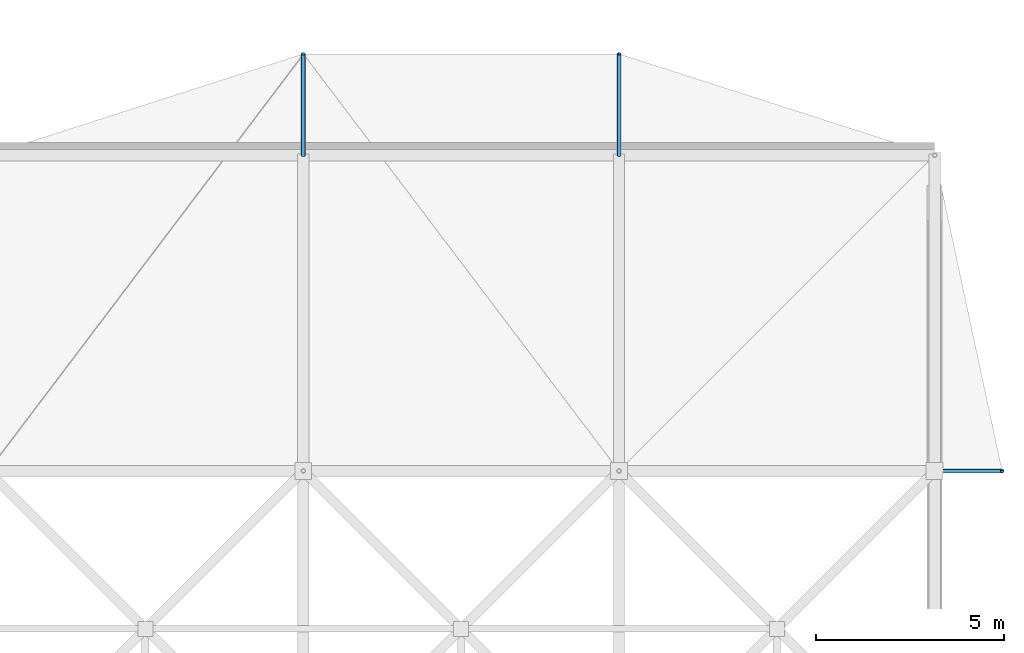
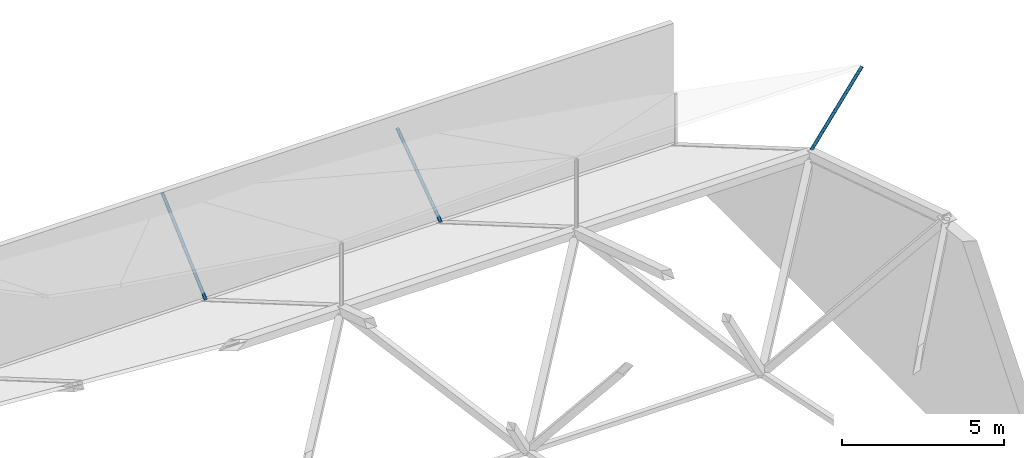
# One storey, part 100 of 111: 3 discrete accessories.
"""IFC4 building model written with IfcOpenShell, lengths in metres."""

from ifc_helpers import new_model, si_unit, direction, frame, origin, origin_2d, place, context, subcontext, project, spatial, hollow_circle, extrude, material, material_profile, profile_set, type_object, element, save


model = new_model("IFC4")

# Units and contexts
model_context = context("Model", 3, precision=1e-05, world=origin(), true_north=direction((0.0, 1.0)))
body_context = subcontext(model_context, "Body", "Model", "MODEL_VIEW")
ifc_project = project(units=[si_unit("LENGTHUNIT", "METRE"), si_unit("AREAUNIT", "SQUARE_METRE"), si_unit("VOLUMEUNIT", "CUBIC_METRE"), si_unit("PLANEANGLEUNIT", "RADIAN"), si_unit("MASSUNIT", "GRAM", prefix="KILO")], contexts=[model_context])

# Site, building, storey
site_placement = place(None, origin())
site = spatial("IfcSite", under=ifc_project, at=site_placement, CompositionType="ELEMENT")
building_placement = place(site_placement, origin())
building = spatial("IfcBuilding", under=site, at=building_placement, Name="Rain Tree Exposition and Congress Centre", CompositionType="ELEMENT")
storey_placement = place(building_placement, frame((0.0, 0.0, 19.5)))
storey = spatial("IfcBuildingStorey", under=building, at=storey_placement, Name="RF", CompositionType="ELEMENT", Elevation=19.5)

# Discrete accessories
ifc_material = material(Name="Steel S355J2H", Category="steel")
ifc_material_profile = material_profile(ifc_material, hollow_circle(Radius=0.05712890625, WallThickness=0.00439453125, at=origin_2d()), Name="CHS 114x4.5")
ifc_profile_set = profile_set([ifc_material_profile], Name="Steel S355J2H")
discrete_accessory_type = type_object("IfcDiscreteAccessoryType", Name="Roof skin post CHS 114x4.5", PredefinedType="BRACKET", material=ifc_profile_set)
discrete_accessory_1_placement = place(storey_placement, frame((243.60009765625, 193.199951171875, 5.39404296875), z_axis=(0.582351051969, 0.0, 0.812937422112), x_axis=(0.0, 1.0, 0.0)))
element("IfcDiscreteAccessory", 1, at=discrete_accessory_1_placement, inside=storey, type_object=discrete_accessory_type, Name="Roof skin post B156", PredefinedType="BRACKET", context=body_context, shape_type="SweptSolid", body=[
    extrude(hollow_circle(Radius=0.05712890625, WallThickness=0.00439453125, at=origin_2d()), origin(), (0.0, 0.0, 1.0), 3.090576171875),
])
discrete_accessory_2_placement = place(storey_placement, frame((226.800048828125, 201.60009765625, 0.5), z_axis=(0.0, 0.744434440823, 0.667695561852), x_axis=(-1.0, 0.0, 0.0)))
element("IfcDiscreteAccessory", 2, at=discrete_accessory_2_placement, inside=storey, type_object=discrete_accessory_type, Name="Roof skin post B167", PredefinedType="BRACKET", context=body_context, shape_type="SweptSolid", body=[
    extrude(hollow_circle(Radius=0.05712890625, WallThickness=0.00439453125, at=origin_2d()), origin(), (0.0, 0.0, 1.0), 3.626953125),
])
discrete_accessory_3_placement = place(storey_placement, frame((235.199951171875, 201.60009765625, 0.5), z_axis=(0.0, 0.814961511859, 0.579515085384), x_axis=(-1.0, 0.0, 0.0)))
element("IfcDiscreteAccessory", 3, at=discrete_accessory_3_placement, inside=storey, type_object=discrete_accessory_type, Name="Roof skin post B168", PredefinedType="BRACKET", context=body_context, shape_type="SweptSolid", body=[
    extrude(hollow_circle(Radius=0.05712890625, WallThickness=0.00439453125, at=origin_2d()), origin(), (0.0, 0.0, 1.0), 3.31298828125),
])

save(model, "model.ifc")
